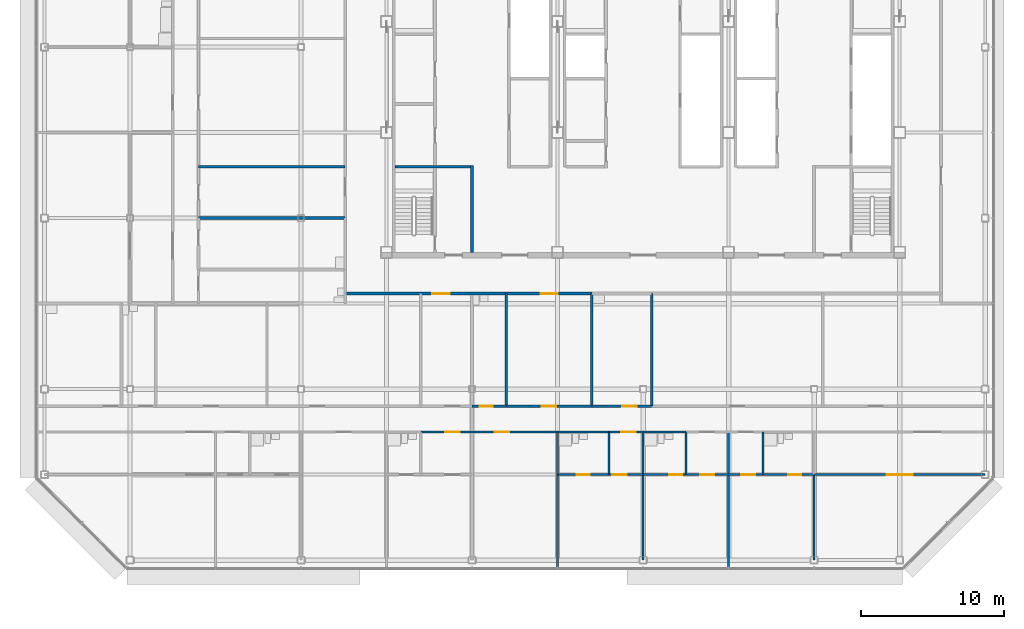
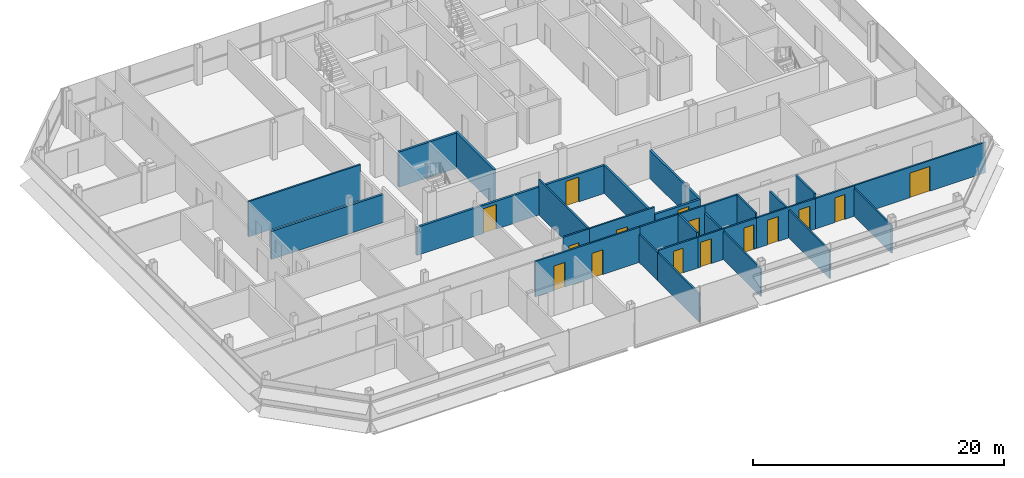
# One storey, part 22 of 28: 30 walls, 15 doors, 15 openings.
"""IFC4 building model written with IfcOpenShell, lengths in metres."""

import ifcopenshell
import ifcopenshell.guid

model = None  # the IFC model being written
_history = None  # IfcOwnerHistory: only IFC2X3 demands one
_inside = {}  # id of a spatial element -> (the spatial element, [elements in it])
_under = {}  # id of a project, library or spatial element -> (it, [spatial elements below it])
_declared = {}  # id of a project -> (the project, [libraries it declares])
_typed = {}  # id of a type object -> (the type object, [elements of that type])
_made_of = {}  # id of a material, layer set ... -> (it, [elements and type objects made of it])


def new_model(schema):
    """Start an empty IFC model of exactly this schema.

    Asked for "IFC4X3", IfcOpenShell would pick the latest addendum, in which some entities
    have other attributes; the version numbers below select the first issue.
    IFC2X3 requires an IfcOwnerHistory on every rooted entity: one is made here for all.
    """
    global model, _history
    if schema == "IFC4X3":
        model = ifcopenshell.file(schema_version=(4, 3, 0, 0))
    else:
        model = ifcopenshell.file(schema=schema)
    _inside.clear()
    _under.clear()
    _declared.clear()
    _typed.clear()
    _made_of.clear()
    _history = None
    if model.schema == "IFC2X3":
        org = make("IfcOrganization", Name="unknown")
        user = make(
            "IfcPersonAndOrganization",
            ThePerson=make("IfcPerson", FamilyName="unknown"),
            TheOrganization=org,
        )
        app = make(
            "IfcApplication",
            ApplicationDeveloper=org,
            Version="unknown",
            ApplicationFullName="unknown",
            ApplicationIdentifier="unknown",
        )
        _history = make(
            "IfcOwnerHistory",
            OwningUser=user,
            OwningApplication=app,
            ChangeAction="ADDED",
            CreationDate=0,
        )
    return model


def make(cls, **values):
    """One entity of the class cls with the attributes given. An attribute that is None is left unset."""
    return model.create_entity(
        cls, **{name: value for name, value in values.items() if value is not None}
    )


def rooted(cls, **values):
    """An entity with a GlobalId (a new one), such as an element, a storey or a relation."""
    return make(cls, GlobalId=ifcopenshell.guid.new(), OwnerHistory=_history, **values)


def si_unit(unit_type, name, prefix=None):
    """IfcSIUnit, for example si_unit("LENGTHUNIT", "METRE", prefix="MILLI")."""
    return make("IfcSIUnit", UnitType=unit_type, Prefix=prefix, Name=name)


def assignment(units):
    """IfcUnitAssignment: the units of a project."""
    return None if units is None else make("IfcUnitAssignment", Units=units)


def point(xyz):
    """IfcCartesianPoint."""
    return None if xyz is None else make("IfcCartesianPoint", Coordinates=xyz)


def direction(xyz):
    """IfcDirection."""
    return None if xyz is None else make("IfcDirection", DirectionRatios=xyz)


def frame(location, z_axis=None, x_axis=None):
    """IfcAxis2Placement3D, a coordinate frame: its origin and axes. An axis left out is left unset."""
    return make(
        "IfcAxis2Placement3D",
        Location=point(location),
        Axis=direction(z_axis),
        RefDirection=direction(x_axis),
    )


def frame_2d(location, x_axis=None):
    """IfcAxis2Placement2D, a coordinate frame in the plane: its origin and x axis."""
    return make(
        "IfcAxis2Placement2D", Location=point(location), RefDirection=direction(x_axis)
    )


def origin():
    """The frame at (0, 0, 0) with its axes left unset."""
    return frame((0.0, 0.0, 0.0))


def place(relative_to, where):
    """IfcLocalPlacement: puts the frame where relative to a parent placement (None: the world)."""
    return make(
        "IfcLocalPlacement", PlacementRelTo=relative_to, RelativePlacement=where
    )


def context(
    kind, dimensions, precision=None, world=None, true_north=None, identifier=None
):
    """IfcGeometricRepresentationContext, for example the 3D "Model" context."""
    return make(
        "IfcGeometricRepresentationContext",
        ContextIdentifier=identifier,
        ContextType=kind,
        CoordinateSpaceDimension=dimensions,
        Precision=precision,
        WorldCoordinateSystem=world,
        TrueNorth=true_north,
    )


def subcontext(parent, identifier, kind, view, scale=None):
    """IfcGeometricRepresentationSubContext, for example "Body" below "Model"."""
    return make(
        "IfcGeometricRepresentationSubContext",
        ContextIdentifier=identifier,
        ContextType=kind,
        ParentContext=parent,
        TargetScale=scale,
        TargetView=view,
    )


def project(units=None, contexts=None):
    """IfcProject with its units and contexts."""
    return rooted(
        "IfcProject",
        Name="project",
        RepresentationContexts=contexts,
        UnitsInContext=assignment(units),
    )


def spatial(cls, under=None, at=None, **own):
    """A site, building, storey or space (cls), placed at a placement, below another one or the project."""
    s = rooted(cls, ObjectPlacement=at, **own)
    if under is not None:
        _under.setdefault(under.id(), (under, []))[1].append(s)
    return s


def profile(cls, at=None, kind="AREA", **sizes):
    """A parametric profile (cls). Its sizes go by their IFC names, for example OverallWidth=200.0."""
    return make(cls, ProfileType=kind, Position=at, **sizes)


def rectangle(**sizes):
    """IfcRectangleProfileDef."""
    return profile("IfcRectangleProfileDef", **sizes)


def extrude(swept, where, along, depth):
    """IfcExtrudedAreaSolid: the profile swept, set in the frame where, extruded along a direction by depth."""
    return make(
        "IfcExtrudedAreaSolid",
        SweptArea=swept,
        Position=where,
        ExtrudedDirection=direction(along),
        Depth=depth,
    )


def shape(context_of_items, identifier, shape_type, items):
    """IfcShapeRepresentation: the items that make up one representation, for example the "Body"."""
    return make(
        "IfcShapeRepresentation",
        ContextOfItems=context_of_items,
        RepresentationIdentifier=identifier,
        RepresentationType=shape_type,
        Items=items,
    )


def material(Name=None, Category=None):
    """IfcMaterial."""
    return make("IfcMaterial", Name=Name, Category=Category)


def layer(
    of_material, thickness, ventilated=None, Name=None, Category=None, Priority=None
):
    """IfcMaterialLayer: one layer of a wall or slab, of a material (None: an air gap)."""
    return make(
        "IfcMaterialLayer",
        Material=of_material,
        LayerThickness=thickness,
        IsVentilated=ventilated,
        Name=Name,
        Category=Category,
        Priority=Priority,
    )


def layer_set(layers, Name=None):
    """IfcMaterialLayerSet."""
    return make("IfcMaterialLayerSet", MaterialLayers=layers, LayerSetName=Name)


def made_of(thing, what):
    """Note that an element or type object is made of a material, layer set ...; save() writes the relation."""
    if what is not None:
        _made_of.setdefault(what.id(), (what, []))[1].append(thing)
    return thing


def type_object(cls, material=None, **own):
    """A type object (cls), such as IfcWallType, which elements share."""
    return made_of(rooted(cls, **own), material)


def element(
    cls,
    number,
    at=None,
    inside=None,
    cuts=None,
    type_object=None,
    material=None,
    context=None,
    identifier="Body",
    shape_type=None,
    held_by="IfcProductDefinitionShape",
    body=None,
    shapes=None,
    **own,
):
    """One element of the class cls, such as IfcWall. Its Tag is "e" and its number.

    at: its placement. inside: the storey or other place that contains it. cuts: it is an
    opening in that element (IfcRelVoidsElement). A single representation is given by context,
    identifier, shape_type and body (its items); several are given by shapes. held_by: the class
    of the entity that holds the representations. save() writes the other relations.
    """
    e = rooted(cls, Tag="e%d" % number, ObjectPlacement=at, **own)
    if body is not None:
        shapes = [shape(context, identifier, shape_type, body)]
    if shapes is not None:
        e.Representation = make(held_by, Representations=shapes)
    if inside is not None:
        _inside.setdefault(inside.id(), (inside, []))[1].append(e)
    if cuts is not None:
        rooted(
            "IfcRelVoidsElement", RelatingBuildingElement=cuts, RelatedOpeningElement=e
        )
    if type_object is not None:
        _typed.setdefault(type_object.id(), (type_object, []))[1].append(e)
    return made_of(e, material)


def fill(opening, filler):
    """IfcRelFillsElement: the door or window that sits in an opening."""
    return rooted(
        "IfcRelFillsElement",
        RelatingOpeningElement=opening,
        RelatedBuildingElement=filler,
    )


def aggregate(whole, parts):
    """IfcRelAggregates: a whole, such as a stair, and the parts it consists of."""
    return rooted("IfcRelAggregates", RelatingObject=whole, RelatedObjects=parts)


def save(model, path):
    """Write the relations noted so far, then the file.

    IfcRelAggregates (storeys below a building ...), IfcRelContainedInSpatialStructure (elements
    in a storey), IfcRelDefinesByType, IfcRelAssociatesMaterial and IfcRelDeclares: one each for
    every whole, place, type object, material and project.
    """
    for whole, parts in _under.values():
        aggregate(whole, parts)
    for where, things in _inside.values():
        rooted(
            "IfcRelContainedInSpatialStructure",
            RelatedElements=things,
            RelatingStructure=where,
        )
    for kind, things in _typed.values():
        rooted("IfcRelDefinesByType", RelatedObjects=things, RelatingType=kind)
    for what, things in _made_of.values():
        rooted("IfcRelAssociatesMaterial", RelatedObjects=things, RelatingMaterial=what)
    for by, libraries in _declared.values():
        rooted("IfcRelDeclares", RelatingContext=by, RelatedDefinitions=libraries)
    model.write(path)


model = new_model("IFC4")

# Units and contexts
model_context = context("Model", 3, precision=1e-05, world=origin(), true_north=direction((0.0, 1.0)))
body_context = subcontext(model_context, "Body", "Model", "MODEL_VIEW")
ifc_project = project(units=[si_unit("LENGTHUNIT", "METRE"), si_unit("AREAUNIT", "SQUARE_METRE"), si_unit("VOLUMEUNIT", "CUBIC_METRE"), si_unit("PLANEANGLEUNIT", "RADIAN"), si_unit("MASSUNIT", "GRAM", prefix="KILO")], contexts=[model_context])

# Site, building, storey
site_placement = place(None, origin())
site = spatial("IfcSite", under=ifc_project, at=site_placement, CompositionType="ELEMENT")
building_placement = place(site_placement, origin())
building = spatial("IfcBuilding", under=site, at=building_placement, Name="Sorahane Residences", CompositionType="ELEMENT")
storey_placement = place(building_placement, frame((0.0, 0.0, 301.60009765625)))
storey = spatial("IfcBuildingStorey", under=building, at=storey_placement, Name="L71", CompositionType="ELEMENT", Elevation=301.60009765625)

# Wall, openings, doors
ifc_material_1 = material(Name="Concrete blockwork C20 wall", Category="masonry")
ifc_layer_1 = layer(ifc_material_1, 0.199951171875)
ifc_layer_set_1 = layer_set([ifc_layer_1], Name="Corridor wall 200 EI 120")
wall_type_1 = type_object("IfcWallType", Name="Corridor wall 200 EI 120", PredefinedType="SOLIDWALL", material=ifc_layer_set_1)
wall_1_placement = place(storey_placement, frame((3.10009765625, 18.699951171875, 0.0), z_axis=(0.0, 0.0, 1.0), x_axis=(1.0, 0.0, 0.0)))
wall_1 = element("IfcWall", 1, at=wall_1_placement, inside=storey, type_object=wall_type_1, Name="L71 corridor wall", PredefinedType="SOLIDWALL", context=body_context, shape_type="SweptSolid", body=[
    extrude(rectangle(XDim=17.2998046875, YDim=0.199951171875, at=frame_2d((8.64990234375, 0.0))), origin(), (0.0, 0.0, 1.0), 2.719970703125),
])
opening_1_placement = place(wall_1_placement, frame((6.1201171875, 0.0, 0.0)))
opening_1 = element("IfcOpeningElement", 2, at=opening_1_placement, cuts=wall_1, Name="Opening L71-44", PredefinedType="OPENING", context=body_context, shape_type="SweptSolid", body=[
    extrude(rectangle(XDim=1.199951171875, YDim=2.39990234375, at=frame_2d((0.60009765625, 1.199951171875))), frame((0.0, 0.10986328125, 0.0), z_axis=(0.0, -1.0, 0.0), x_axis=(1.0, 0.0, 0.0)), (0.0, 0.0, 1.0), 0.219970703125),
])
opening_2_placement = place(wall_1_placement, frame((13.699951171875, 0.0, 0.0)))
opening_2 = element("IfcOpeningElement", 3, at=opening_2_placement, cuts=wall_1, Name="Opening L71-45", PredefinedType="OPENING", context=body_context, shape_type="SweptSolid", body=[
    extrude(rectangle(XDim=1.199951171875, YDim=2.39990234375, at=frame_2d((0.60009765625, 1.199951171875))), frame((0.0, 0.10986328125, 0.0), z_axis=(0.0, -1.0, 0.0), x_axis=(1.0, 0.0, 0.0)), (0.0, 0.0, 1.0), 0.219970703125),
])
ifc_material_2 = material(Name="Timber veneered fire door", Category="wood")
door_type_1 = type_object("IfcDoorType", Name="Flat entrance door 1200x2400 FD60", OperationType="NOTDEFINED", PredefinedType="DOOR", material=ifc_material_2)
door_1_placement = place(opening_1_placement, frame((1.199951171875, 0.0, 0.0), z_axis=(0.0, 0.0, 1.0), x_axis=(-1.0, 0.0, 0.0)))
door_1 = element("IfcDoor", 4, at=door_1_placement, inside=storey, type_object=door_type_1, Name="Flat entrance door L71-44", OperationType="SINGLE_SWING_LEFT", OverallHeight=2.39990234375, OverallWidth=1.199951171875, PredefinedType="DOOR", context=body_context, shape_type="SweptSolid", body=[
    extrude(rectangle(XDim=1.199951171875, YDim=2.39990234375, at=frame_2d((0.60009765625, 1.199951171875))), frame((0.0, 0.02490234375, 0.0), z_axis=(0.0, -1.0, 0.0), x_axis=(1.0, 0.0, 0.0)), (0.0, 0.0, 1.0), 0.050048828125),
])
fill(opening_1, door_1)
door_2_placement = place(opening_2_placement, frame((1.199951171875, 0.0, 0.0), z_axis=(0.0, 0.0, 1.0), x_axis=(-1.0, 0.0, 0.0)))
door_2 = element("IfcDoor", 5, at=door_2_placement, inside=storey, type_object=door_type_1, Name="Flat entrance door L71-45", OperationType="SINGLE_SWING_LEFT", OverallHeight=2.39990234375, OverallWidth=1.199951171875, PredefinedType="DOOR", context=body_context, shape_type="SweptSolid", body=[
    extrude(rectangle(XDim=1.199951171875, YDim=2.39990234375, at=frame_2d((0.60009765625, 1.199951171875))), frame((0.0, 0.02490234375, 0.0), z_axis=(0.0, -1.0, 0.0), x_axis=(1.0, 0.0, 0.0)), (0.0, 0.0, 1.0), 0.050048828125),
])
fill(opening_2, door_2)

# Walls
ifc_material_3 = material(Name="Concrete C30", Category="concrete")
ifc_layer_2 = layer(ifc_material_3, 0.199951171875)
ifc_layer_set_2 = layer_set([ifc_layer_2], Name="Front room wall 200 EI 120")
wall_type_2 = type_object("IfcWallType", Name="Front room wall 200 EI 120", PredefinedType="PARTITIONING", material=ifc_layer_set_2)
wall_2_placement = place(storey_placement, frame((12.0, 21.60009765625, 0.0), z_axis=(0.0, 0.0, 1.0), x_axis=(0.0, 1.0, 0.0)))
element("IfcWall", 6, at=wall_2_placement, inside=storey, type_object=wall_type_2, Name="L71 front room wall", PredefinedType="PARTITIONING", context=body_context, shape_type="SweptSolid", body=[
    extrude(rectangle(XDim=6.099853515625, YDim=0.199951171875, at=frame_2d((3.0498046875, 0.0))), origin(), (0.0, 0.0, 1.0), 3.419921875),
])
ifc_material_4 = material(Name="Concrete blockwork C20 wall", Category="masonry")
ifc_layer_3 = layer(ifc_material_4, 0.199951171875)
ifc_layer_set_3 = layer_set([ifc_layer_3], Name="Kitchen wall 200 EI 180")
wall_type_3 = type_object("IfcWallType", Name="Kitchen wall 200 EI 180", PredefinedType="SOLIDWALL", material=ifc_layer_set_3)
for number, where, z_axis, x_axis, name in (
    (7, (20.39990234375, 10.800048828125, 0.0), (0.0, 0.0, 1.0), (0.0, 1.0, 0.0), "L71 kitchen wall"),
    (8, (24.60009765625, 10.800048828125, 0.0), (0.0, 0.0, 1.0), (0.0, 1.0, 0.0), "L71 kitchen wall"),
):
    element("IfcWall", number, at=place(storey_placement, frame(where, z_axis=z_axis, x_axis=x_axis)), inside=storey, type_object=wall_type_3, Name=name, PredefinedType="SOLIDWALL", context=body_context, shape_type="SweptSolid", body=[
        extrude(rectangle(XDim=7.89990234375, YDim=0.199951171875, at=frame_2d((3.949951171875, 0.0))), origin(), (0.0, 0.0, 1.0), 2.719970703125),
    ])

# Wall, opening, door
wall_3_placement = place(storey_placement, frame((20.39990234375, 10.800048828125, 0.0), z_axis=(0.0, 0.0, 1.0), x_axis=(1.0, 0.0, 0.0)))
wall_3 = element("IfcWall", 9, at=wall_3_placement, inside=storey, type_object=wall_type_3, Name="L71 kitchen wall", PredefinedType="SOLIDWALL", context=body_context, shape_type="SweptSolid", body=[
    extrude(rectangle(XDim=4.2001953125, YDim=0.199951171875, at=frame_2d((2.10009765625, 0.0))), origin(), (0.0, 0.0, 1.0), 2.719970703125),
])
opening_3_placement = place(wall_3_placement, frame((2.139892578125, 0.0, 0.0)))
opening_3 = element("IfcOpeningElement", 10, at=opening_3_placement, cuts=wall_3, Name="Opening L71-17", PredefinedType="OPENING", context=body_context, shape_type="SweptSolid", body=[
    extrude(rectangle(XDim=1.0, YDim=2.39990234375, at=frame_2d((0.5, 1.199951171875))), frame((0.0, 0.10986328125, 0.0), z_axis=(0.0, -1.0, 0.0), x_axis=(1.0, 0.0, 0.0)), (0.0, 0.0, 1.0), 0.219970703125),
])
ifc_material_5 = material(Name="Steel", Category="steel")
door_type_2 = type_object("IfcDoorType", Name="Kitchen door 1000x2400 FD120", OperationType="NOTDEFINED", PredefinedType="DOOR", material=ifc_material_5)
door_3_placement = place(opening_3_placement, origin())
door_3 = element("IfcDoor", 11, at=door_3_placement, inside=storey, type_object=door_type_2, Name="Kitchen door L71-17", OperationType="SINGLE_SWING_RIGHT", OverallHeight=2.39990234375, OverallWidth=1.0, PredefinedType="DOOR", context=body_context, shape_type="SweptSolid", body=[
    extrude(rectangle(XDim=1.0, YDim=2.39990234375, at=frame_2d((0.5, 1.199951171875))), frame((0.0, 0.02490234375, 0.0), z_axis=(0.0, -1.0, 0.0), x_axis=(1.0, 0.0, 0.0)), (0.0, 0.0, 1.0), 0.050048828125),
])
fill(opening_3, door_3)

# Walls
wall_4_placement = place(storey_placement, frame((-7.199951171875, 24.0, 0.0), z_axis=(0.0, 0.0, 1.0), x_axis=(1.0, 0.0, 0.0)))
element("IfcWall", 12, at=wall_4_placement, inside=storey, type_object=wall_type_3, Name="L71 kitchen wall", PredefinedType="SOLIDWALL", context=body_context, shape_type="SweptSolid", body=[
    extrude(rectangle(XDim=10.300048828125, YDim=0.199951171875, at=frame_2d((5.14990234375, 0.0))), origin(), (0.0, 0.0, 1.0), 2.719970703125),
])
ifc_material_6 = material(Name="Gypsum board partition on steel studs", Category="steel")
ifc_layer_4 = layer(ifc_material_6, 0.14990234375)
ifc_layer_set_4 = layer_set([ifc_layer_4], Name="Partition 150 EI 90")
wall_type_4 = type_object("IfcWallType", Name="Partition 150 EI 90", PredefinedType="PARTITIONING", material=ifc_layer_set_4)
wall_5_placement = place(storey_placement, frame((18.0, -0.60009765625, 0.0), z_axis=(0.0, 0.0, 1.0), x_axis=(0.0, 1.0, 0.0)))
element("IfcWall", 13, at=wall_5_placement, inside=storey, type_object=wall_type_4, Name="L71 partition", PredefinedType="PARTITIONING", context=body_context, shape_type="SweptSolid", body=[
    extrude(rectangle(XDim=6.60009765625, YDim=0.14990234375, at=frame_2d((3.300048828125, 0.0))), origin(), (0.0, 0.0, 1.0), 2.719970703125),
])
wall_6_placement = place(storey_placement, frame((24.0, 0.0, 0.0), z_axis=(0.0, 0.0, 1.0), x_axis=(0.0, 1.0, 0.0)))
element("IfcWall", 14, at=wall_6_placement, inside=storey, type_object=wall_type_4, Name="L71 partition", PredefinedType="PARTITIONING", context=body_context, shape_type="SweptSolid", body=[
    extrude(rectangle(XDim=6.0, YDim=0.14990234375, at=frame_2d((3.0, 0.0))), origin(), (0.0, 0.0, 1.0), 2.719970703125),
])
wall_7_placement = place(storey_placement, frame((30.0, -0.60009765625, 0.0), z_axis=(0.0, 0.0, 1.0), x_axis=(0.0, 1.0, 0.0)))
element("IfcWall", 15, at=wall_7_placement, inside=storey, type_object=wall_type_4, Name="L71 partition", PredefinedType="PARTITIONING", context=body_context, shape_type="SweptSolid", body=[
    extrude(rectangle(XDim=9.60009765625, YDim=0.14990234375, at=frame_2d((4.800048828125, 0.0))), origin(), (0.0, 0.0, 1.0), 2.719970703125),
])
wall_8_placement = place(storey_placement, frame((36.0, 0.0, 0.0), z_axis=(0.0, 0.0, 1.0), x_axis=(0.0, 1.0, 0.0)))
element("IfcWall", 16, at=wall_8_placement, inside=storey, type_object=wall_type_4, Name="L71 partition", PredefinedType="PARTITIONING", context=body_context, shape_type="SweptSolid", body=[
    extrude(rectangle(XDim=6.0, YDim=0.14990234375, at=frame_2d((3.0, 0.0))), origin(), (0.0, 0.0, 1.0), 2.719970703125),
])

# Wall, opening, door
wall_9_placement = place(storey_placement, frame((14.39990234375, 10.800048828125, 0.0), z_axis=(0.0, 0.0, 1.0), x_axis=(1.0, 0.0, 0.0)))
wall_9 = element("IfcWall", 17, at=wall_9_placement, inside=storey, type_object=wall_type_4, Name="L71 partition", PredefinedType="PARTITIONING", context=body_context, shape_type="SweptSolid", body=[
    extrude(rectangle(XDim=6.0, YDim=0.14990234375, at=frame_2d((3.0, 0.0))), origin(), (0.0, 0.0, 1.0), 3.419921875),
])
opening_4_placement = place(wall_9_placement, frame((2.5, 0.0, 0.0)))
opening_4 = element("IfcOpeningElement", 18, at=opening_4_placement, cuts=wall_9, Name="Opening L71-15", PredefinedType="OPENING", context=body_context, shape_type="SweptSolid", body=[
    extrude(rectangle(XDim=1.0, YDim=2.39990234375, at=frame_2d((0.5, 1.199951171875))), frame((0.0, 0.0849609375, 0.0), z_axis=(0.0, -1.0, 0.0), x_axis=(1.0, 0.0, 0.0)), (0.0, 0.0, 1.0), 0.169921875),
])
ifc_material_7 = material(Name="Timber veneered fire door", Category="wood")
door_type_3 = type_object("IfcDoorType", Name="Room door 1000x2400 FD30", OperationType="NOTDEFINED", PredefinedType="DOOR", material=ifc_material_7)
door_4_placement = place(opening_4_placement, frame((1.0, 0.0, 0.0), z_axis=(0.0, 0.0, 1.0), x_axis=(-1.0, 0.0, 0.0)))
door_4 = element("IfcDoor", 19, at=door_4_placement, inside=storey, type_object=door_type_3, Name="Room door L71-15", OperationType="SINGLE_SWING_RIGHT", OverallHeight=2.39990234375, OverallWidth=1.0, PredefinedType="DOOR", context=body_context, shape_type="SweptSolid", body=[
    extrude(rectangle(XDim=1.0, YDim=2.39990234375, at=frame_2d((0.5, 1.199951171875))), frame((0.0, 0.02490234375, 0.0), z_axis=(0.0, -1.0, 0.0), x_axis=(1.0, 0.0, 0.0)), (0.0, 0.0, 1.0), 0.050048828125),
])
fill(opening_4, door_4)

# Wall
wall_10_placement = place(storey_placement, frame((-7.199951171875, 27.60009765625, 0.0), z_axis=(0.0, 0.0, 1.0), x_axis=(1.0, 0.0, 0.0)))
element("IfcWall", 20, at=wall_10_placement, inside=storey, type_object=wall_type_4, Name="L71 partition", PredefinedType="PARTITIONING", context=body_context, shape_type="SweptSolid", body=[
    extrude(rectangle(XDim=10.300048828125, YDim=0.14990234375, at=frame_2d((5.14990234375, 0.0))), origin(), (0.0, 0.0, 1.0), 3.419921875),
])

# Wall, opening, door
wall_11_placement = place(storey_placement, frame((21.60009765625, 6.0, 0.0), z_axis=(0.0, 0.0, 1.0), x_axis=(1.0, 0.0, 0.0)))
wall_11 = element("IfcWall", 21, at=wall_11_placement, inside=storey, type_object=wall_type_4, Name="L71 partition", PredefinedType="PARTITIONING", context=body_context, shape_type="SweptSolid", body=[
    extrude(rectangle(XDim=2.39990234375, YDim=0.14990234375, at=frame_2d((1.199951171875, 0.0))), origin(), (0.0, 0.0, 1.0), 2.969970703125),
])
opening_5_placement = place(wall_11_placement, frame((0.25, 0.0, 0.0)))
opening_5 = element("IfcOpeningElement", 22, at=opening_5_placement, cuts=wall_11, Name="Opening L71-25", PredefinedType="OPENING", context=body_context, shape_type="SweptSolid", body=[
    extrude(rectangle(XDim=1.0, YDim=2.39990234375, at=frame_2d((0.5, 1.199951171875))), frame((0.0, 0.0849609375, 0.0), z_axis=(0.0, -1.0, 0.0), x_axis=(1.0, 0.0, 0.0)), (0.0, 0.0, 1.0), 0.169921875),
])
door_5_placement = place(opening_5_placement, frame((1.0, 0.0, 0.0), z_axis=(0.0, 0.0, 1.0), x_axis=(-1.0, 0.0, 0.0)))
door_5 = element("IfcDoor", 23, at=door_5_placement, inside=storey, type_object=door_type_3, Name="Room door L71-25", OperationType="SINGLE_SWING_RIGHT", OverallHeight=2.39990234375, OverallWidth=1.0, PredefinedType="DOOR", context=body_context, shape_type="SweptSolid", body=[
    extrude(rectangle(XDim=1.0, YDim=2.39990234375, at=frame_2d((0.5, 1.199951171875))), frame((0.0, 0.02490234375, 0.0), z_axis=(0.0, -1.0, 0.0), x_axis=(1.0, 0.0, 0.0)), (0.0, 0.0, 1.0), 0.050048828125),
])
fill(opening_5, door_5)

# Wall, openings, doors
wall_12_placement = place(storey_placement, frame((27.0, 6.0, 0.0), z_axis=(0.0, 0.0, 1.0), x_axis=(1.0, 0.0, 0.0)))
wall_12 = element("IfcWall", 24, at=wall_12_placement, inside=storey, type_object=wall_type_4, Name="L71 partition", PredefinedType="PARTITIONING", context=body_context, shape_type="SweptSolid", body=[
    extrude(rectangle(XDim=5.39990234375, YDim=0.14990234375, at=frame_2d((2.699951171875, 0.0))), origin(), (0.0, 0.0, 1.0), 2.969970703125),
])
opening_6_placement = place(wall_12_placement, frame((1.0, 0.0, 0.0)))
opening_6 = element("IfcOpeningElement", 25, at=opening_6_placement, cuts=wall_12, Name="Opening L71-27", PredefinedType="OPENING", context=body_context, shape_type="SweptSolid", body=[
    extrude(rectangle(XDim=1.0, YDim=2.39990234375, at=frame_2d((0.5, 1.199951171875))), frame((0.0, 0.0849609375, 0.0), z_axis=(0.0, -1.0, 0.0), x_axis=(1.0, 0.0, 0.0)), (0.0, 0.0, 1.0), 0.169921875),
])
opening_7_placement = place(wall_12_placement, frame((3.8798828125, 0.0, 0.0)))
opening_7 = element("IfcOpeningElement", 26, at=opening_7_placement, cuts=wall_12, Name="Opening L71-29", PredefinedType="OPENING", context=body_context, shape_type="SweptSolid", body=[
    extrude(rectangle(XDim=1.0, YDim=2.39990234375, at=frame_2d((0.5, 1.199951171875))), frame((0.0, 0.0849609375, 0.0), z_axis=(0.0, -1.0, 0.0), x_axis=(1.0, 0.0, 0.0)), (0.0, 0.0, 1.0), 0.169921875),
])
door_6_placement = place(opening_6_placement, frame((1.0, 0.0, 0.0), z_axis=(0.0, 0.0, 1.0), x_axis=(-1.0, 0.0, 0.0)))
door_6 = element("IfcDoor", 27, at=door_6_placement, inside=storey, type_object=door_type_3, Name="Room door L71-27", OperationType="SINGLE_SWING_LEFT", OverallHeight=2.39990234375, OverallWidth=1.0, PredefinedType="DOOR", context=body_context, shape_type="SweptSolid", body=[
    extrude(rectangle(XDim=1.0, YDim=2.39990234375, at=frame_2d((0.5, 1.199951171875))), frame((0.0, 0.02490234375, 0.0), z_axis=(0.0, -1.0, 0.0), x_axis=(1.0, 0.0, 0.0)), (0.0, 0.0, 1.0), 0.050048828125),
])
fill(opening_6, door_6)
door_7_placement = place(opening_7_placement, frame((1.0, 0.0, 0.0), z_axis=(0.0, 0.0, 1.0), x_axis=(-1.0, 0.0, 0.0)))
door_7 = element("IfcDoor", 28, at=door_7_placement, inside=storey, type_object=door_type_3, Name="Room door L71-29", OperationType="SINGLE_SWING_LEFT", OverallHeight=2.39990234375, OverallWidth=1.0, PredefinedType="DOOR", context=body_context, shape_type="SweptSolid", body=[
    extrude(rectangle(XDim=1.0, YDim=2.39990234375, at=frame_2d((0.5, 1.199951171875))), frame((0.0, 0.02490234375, 0.0), z_axis=(0.0, -1.0, 0.0), x_axis=(1.0, 0.0, 0.0)), (0.0, 0.0, 1.0), 0.050048828125),
])
fill(opening_7, door_7)

# Wall, opening, door
wall_13_placement = place(storey_placement, frame((36.0, 6.0, 0.0), z_axis=(0.0, 0.0, 1.0), x_axis=(1.0, 0.0, 0.0)))
wall_13 = element("IfcWall", 29, at=wall_13_placement, inside=storey, type_object=wall_type_4, Name="L71 partition", PredefinedType="PARTITIONING", context=body_context, shape_type="SweptSolid", body=[
    extrude(rectangle(XDim=12.0, YDim=0.14990234375, at=frame_2d((6.0, 0.0))), origin(), (0.0, 0.0, 1.0), 2.969970703125),
])
opening_8_placement = place(wall_13_placement, frame((5.10009765625, 0.0, 0.0)))
opening_8 = element("IfcOpeningElement", 30, at=opening_8_placement, cuts=wall_13, Name="Opening L71-31", PredefinedType="OPENING", context=body_context, shape_type="SweptSolid", body=[
    extrude(rectangle(XDim=1.800048828125, YDim=2.39990234375, at=frame_2d((0.89990234375, 1.199951171875))), frame((0.0, 0.0849609375, 0.0), z_axis=(0.0, -1.0, 0.0), x_axis=(1.0, 0.0, 0.0)), (0.0, 0.0, 1.0), 0.169921875),
])
ifc_material_8 = material(Name="Timber veneered fire door", Category="wood")
door_type_4 = type_object("IfcDoorType", Name="Double door 1800x2400 FD30", OperationType="NOTDEFINED", PredefinedType="DOOR", material=ifc_material_8)
door_8_placement = place(opening_8_placement, frame((1.800048828125, 0.0, 0.0), z_axis=(0.0, 0.0, 1.0), x_axis=(-1.0, 0.0, 0.0)))
door_8 = element("IfcDoor", 31, at=door_8_placement, inside=storey, type_object=door_type_4, Name="Double door L71-31", OperationType="SINGLE_SWING_LEFT", OverallHeight=2.39990234375, OverallWidth=1.800048828125, PredefinedType="DOOR", context=body_context, shape_type="SweptSolid", body=[
    extrude(rectangle(XDim=1.800048828125, YDim=2.39990234375, at=frame_2d((0.89990234375, 1.199951171875))), frame((0.0, 0.02490234375, 0.0), z_axis=(0.0, -1.0, 0.0), x_axis=(1.0, 0.0, 0.0)), (0.0, 0.0, 1.0), 0.050048828125),
])
fill(opening_8, door_8)

# Wall, openings, doors
wall_14_placement = place(storey_placement, frame((8.39990234375, 9.0, 0.0), z_axis=(0.0, 0.0, 1.0), x_axis=(1.0, 0.0, 0.0)))
wall_14 = element("IfcWall", 32, at=wall_14_placement, inside=storey, type_object=wall_type_4, Name="L71 partition", PredefinedType="PARTITIONING", context=body_context, shape_type="SweptSolid", body=[
    extrude(rectangle(XDim=9.60009765625, YDim=0.14990234375, at=frame_2d((4.800048828125, 0.0))), origin(), (0.0, 0.0, 1.0), 3.419921875),
])
opening_9_placement = place(wall_14_placement, frame((1.719970703125, 0.0, 0.0)))
opening_9 = element("IfcOpeningElement", 33, at=opening_9_placement, cuts=wall_14, Name="Opening L71-09", PredefinedType="OPENING", context=body_context, shape_type="SweptSolid", body=[
    extrude(rectangle(XDim=1.0, YDim=2.39990234375, at=frame_2d((0.5, 1.199951171875))), frame((0.0, 0.0849609375, 0.0), z_axis=(0.0, -1.0, 0.0), x_axis=(1.0, 0.0, 0.0)), (0.0, 0.0, 1.0), 0.169921875),
])
opening_10_placement = place(wall_14_placement, frame((5.199951171875, 0.0, 0.0)))
opening_10 = element("IfcOpeningElement", 34, at=opening_10_placement, cuts=wall_14, Name="Opening L71-20", PredefinedType="OPENING", context=body_context, shape_type="SweptSolid", body=[
    extrude(rectangle(XDim=1.0, YDim=2.39990234375, at=frame_2d((0.5, 1.199951171875))), frame((0.0, 0.0849609375, 0.0), z_axis=(0.0, -1.0, 0.0), x_axis=(1.0, 0.0, 0.0)), (0.0, 0.0, 1.0), 0.169921875),
])
door_9_placement = place(opening_9_placement, frame((1.0, 0.0, 0.0), z_axis=(0.0, 0.0, 1.0), x_axis=(-1.0, 0.0, 0.0)))
door_9 = element("IfcDoor", 35, at=door_9_placement, inside=storey, type_object=door_type_3, Name="Room door L71-09", OperationType="SINGLE_SWING_RIGHT", OverallHeight=2.39990234375, OverallWidth=1.0, PredefinedType="DOOR", context=body_context, shape_type="SweptSolid", body=[
    extrude(rectangle(XDim=1.0, YDim=2.39990234375, at=frame_2d((0.5, 1.199951171875))), frame((0.0, 0.02490234375, 0.0), z_axis=(0.0, -1.0, 0.0), x_axis=(1.0, 0.0, 0.0)), (0.0, 0.0, 1.0), 0.050048828125),
])
fill(opening_9, door_9)
door_10_placement = place(opening_10_placement, frame((1.0, 0.0, 0.0), z_axis=(0.0, 0.0, 1.0), x_axis=(-1.0, 0.0, 0.0)))
door_10 = element("IfcDoor", 36, at=door_10_placement, inside=storey, type_object=door_type_3, Name="Room door L71-20", OperationType="SINGLE_SWING_LEFT", OverallHeight=2.39990234375, OverallWidth=1.0, PredefinedType="DOOR", context=body_context, shape_type="SweptSolid", body=[
    extrude(rectangle(XDim=1.0, YDim=2.39990234375, at=frame_2d((0.5, 1.199951171875))), frame((0.0, 0.02490234375, 0.0), z_axis=(0.0, -1.0, 0.0), x_axis=(1.0, 0.0, 0.0)), (0.0, 0.0, 1.0), 0.050048828125),
])
fill(opening_10, door_10)

# Wall, opening, door
wall_15_placement = place(storey_placement, frame((21.60009765625, 9.0, 0.0), z_axis=(0.0, 0.0, 1.0), x_axis=(1.0, 0.0, 0.0)))
wall_15 = element("IfcWall", 37, at=wall_15_placement, inside=storey, type_object=wall_type_4, Name="L71 partition", PredefinedType="PARTITIONING", context=body_context, shape_type="SweptSolid", body=[
    extrude(rectangle(XDim=2.39990234375, YDim=0.14990234375, at=frame_2d((1.199951171875, 0.0))), origin(), (0.0, 0.0, 1.0), 3.419921875),
])
opening_11_placement = place(wall_15_placement, frame((0.8798828125, 0.0, 0.0)))
opening_11 = element("IfcOpeningElement", 38, at=opening_11_placement, cuts=wall_15, Name="Opening L71-21", PredefinedType="OPENING", context=body_context, shape_type="SweptSolid", body=[
    extrude(rectangle(XDim=1.0, YDim=2.39990234375, at=frame_2d((0.5, 1.199951171875))), frame((0.0, 0.0849609375, 0.0), z_axis=(0.0, -1.0, 0.0), x_axis=(1.0, 0.0, 0.0)), (0.0, 0.0, 1.0), 0.169921875),
])
door_11_placement = place(opening_11_placement, frame((1.0, 0.0, 0.0), z_axis=(0.0, 0.0, 1.0), x_axis=(-1.0, 0.0, 0.0)))
door_11 = element("IfcDoor", 39, at=door_11_placement, inside=storey, type_object=door_type_3, Name="Room door L71-21", OperationType="SINGLE_SWING_LEFT", OverallHeight=2.39990234375, OverallWidth=1.0, PredefinedType="DOOR", context=body_context, shape_type="SweptSolid", body=[
    extrude(rectangle(XDim=1.0, YDim=2.39990234375, at=frame_2d((0.5, 1.199951171875))), frame((0.0, 0.02490234375, 0.0), z_axis=(0.0, -1.0, 0.0), x_axis=(1.0, 0.0, 0.0)), (0.0, 0.0, 1.0), 0.050048828125),
])
fill(opening_11, door_11)

# Walls
ifc_material_9 = material(Name="Concrete C30", Category="concrete")
ifc_layer_5 = layer(ifc_material_9, 0.199951171875)
ifc_layer_set_5 = layer_set([ifc_layer_5], Name="Stair enclosure wall 200 EI 120")
wall_type_5 = type_object("IfcWallType", Name="Stair enclosure wall 200 EI 120", PredefinedType="SOLIDWALL", material=ifc_layer_set_5)
wall_16_placement = place(storey_placement, frame((6.60009765625, 27.60009765625, 0.0), z_axis=(0.0, 0.0, 1.0), x_axis=(1.0, 0.0, 0.0)))
element("IfcWall", 40, at=wall_16_placement, inside=storey, type_object=wall_type_5, Name="L71 stair enclosure wall", PredefinedType="SOLIDWALL", context=body_context, shape_type="SweptSolid", body=[
    extrude(rectangle(XDim=5.2998046875, YDim=0.199951171875, at=frame_2d((2.64990234375, 0.0))), origin(), (0.0, 0.0, 1.0), 3.419921875),
])
ifc_material_10 = material(Name="Gypsum board partition on steel studs", Category="steel")
ifc_layer_6 = layer(ifc_material_10, 0.14990234375)
ifc_layer_set_6 = layer_set([ifc_layer_6], Name="Wet wall 150 EI 90")
wall_type_6 = type_object("IfcWallType", Name="Wet wall 150 EI 90", PredefinedType="PARTITIONING", material=ifc_layer_set_6)
wall_17_placement = place(storey_placement, frame((14.39990234375, 10.800048828125, 0.0), z_axis=(0.0, 0.0, 1.0), x_axis=(0.0, 1.0, 0.0)))
element("IfcWall", 41, at=wall_17_placement, inside=storey, type_object=wall_type_6, Name="L71 wet wall", PredefinedType="PARTITIONING", context=body_context, shape_type="SweptSolid", body=[
    extrude(rectangle(XDim=7.89990234375, YDim=0.14990234375, at=frame_2d((3.949951171875, 0.0))), origin(), (0.0, 0.0, 1.0), 3.419921875),
])
wall_18_placement = place(storey_placement, frame((18.0, 6.0, 0.0), z_axis=(0.0, 0.0, 1.0), x_axis=(0.0, 1.0, 0.0)))
element("IfcWall", 42, at=wall_18_placement, inside=storey, type_object=wall_type_6, Name="L71 wet wall", PredefinedType="PARTITIONING", context=body_context, shape_type="SweptSolid", body=[
    extrude(rectangle(XDim=3.0, YDim=0.14990234375, at=frame_2d((1.5, 0.0))), origin(), (0.0, 0.0, 1.0), 2.719970703125),
])
wall_19_placement = place(storey_placement, frame((21.60009765625, 6.0, 0.0), z_axis=(0.0, 0.0, 1.0), x_axis=(0.0, 1.0, 0.0)))
element("IfcWall", 43, at=wall_19_placement, inside=storey, type_object=wall_type_6, Name="L71 wet wall", PredefinedType="PARTITIONING", context=body_context, shape_type="SweptSolid", body=[
    extrude(rectangle(XDim=3.0, YDim=0.14990234375, at=frame_2d((1.5, 0.0))), origin(), (0.0, 0.0, 1.0), 3.419921875),
])
wall_20_placement = place(storey_placement, frame((24.0, 6.0, 0.0), z_axis=(0.0, 0.0, 1.0), x_axis=(0.0, 1.0, 0.0)))
element("IfcWall", 44, at=wall_20_placement, inside=storey, type_object=wall_type_6, Name="L71 wet wall", PredefinedType="PARTITIONING", context=body_context, shape_type="SweptSolid", body=[
    extrude(rectangle(XDim=3.0, YDim=0.14990234375, at=frame_2d((1.5, 0.0))), origin(), (0.0, 0.0, 1.0), 2.719970703125),
])
for number, where, z_axis, x_axis, name in (
    (45, (27.0, 6.0, 0.0), (0.0, 0.0, 1.0), (0.0, 1.0, 0.0), "L71 wet wall"),
    (46, (32.39990234375, 6.0, 0.0), (0.0, 0.0, 1.0), (0.0, 1.0, 0.0), "L71 wet wall"),
):
    element("IfcWall", number, at=place(storey_placement, frame(where, z_axis=z_axis, x_axis=x_axis)), inside=storey, type_object=wall_type_6, Name=name, PredefinedType="PARTITIONING", context=body_context, shape_type="SweptSolid", body=[
        extrude(rectangle(XDim=3.0, YDim=0.14990234375, at=frame_2d((1.5, 0.0))), origin(), (0.0, 0.0, 1.0), 3.419921875),
    ])

# Wall, opening, door
wall_21_placement = place(storey_placement, frame((12.0, 10.800048828125, 0.0), z_axis=(0.0, 0.0, 1.0), x_axis=(1.0, 0.0, 0.0)))
wall_21 = element("IfcWall", 47, at=wall_21_placement, inside=storey, type_object=wall_type_6, Name="L71 wet wall", PredefinedType="PARTITIONING", context=body_context, shape_type="SweptSolid", body=[
    extrude(rectangle(XDim=2.39990234375, YDim=0.14990234375, at=frame_2d((1.199951171875, 0.0))), origin(), (0.0, 0.0, 1.0), 3.419921875),
])
opening_12_placement = place(wall_21_placement, frame((0.550048828125, 0.0, 0.0)))
opening_12 = element("IfcOpeningElement", 48, at=opening_12_placement, cuts=wall_21, Name="Opening L71-16", PredefinedType="OPENING", context=body_context, shape_type="SweptSolid", body=[
    extrude(rectangle(XDim=0.89990234375, YDim=2.39990234375, at=frame_2d((0.449951171875, 1.199951171875))), frame((0.0, 0.0849609375, 0.0), z_axis=(0.0, -1.0, 0.0), x_axis=(1.0, 0.0, 0.0)), (0.0, 0.0, 1.0), 0.169921875),
])
ifc_material_11 = material(Name="Timber veneered fire door", Category="wood")
door_type_5 = type_object("IfcDoorType", Name="Bathroom door 900x2400 FD30", OperationType="NOTDEFINED", PredefinedType="DOOR", material=ifc_material_11)
door_12_placement = place(opening_12_placement, frame((0.89990234375, 0.0, 0.0), z_axis=(0.0, 0.0, 1.0), x_axis=(-1.0, 0.0, 0.0)))
door_12 = element("IfcDoor", 49, at=door_12_placement, inside=storey, type_object=door_type_5, Name="Bathroom door L71-16", OperationType="SINGLE_SWING_LEFT", OverallHeight=2.39990234375, OverallWidth=0.89990234375, PredefinedType="DOOR", context=body_context, shape_type="SweptSolid", body=[
    extrude(rectangle(XDim=0.89990234375, YDim=2.39990234375, at=frame_2d((0.449951171875, 1.199951171875))), frame((0.0, 0.02490234375, 0.0), z_axis=(0.0, -1.0, 0.0), x_axis=(1.0, 0.0, 0.0)), (0.0, 0.0, 1.0), 0.050048828125),
])
fill(opening_12, door_12)

wall_22_placement = place(storey_placement, frame((18.0, 6.0, 0.0), z_axis=(0.0, 0.0, 1.0), x_axis=(1.0, 0.0, 0.0)))
wall_22 = element("IfcWall", 50, at=wall_22_placement, inside=storey, type_object=wall_type_6, Name="L71 wet wall", PredefinedType="PARTITIONING", context=body_context, shape_type="SweptSolid", body=[
    extrude(rectangle(XDim=3.60009765625, YDim=0.14990234375, at=frame_2d((1.800048828125, 0.0))), origin(), (0.0, 0.0, 1.0), 2.969970703125),
])
opening_13_placement = place(wall_22_placement, frame((1.35009765625, 0.0, 0.0)))
opening_13 = element("IfcOpeningElement", 51, at=opening_13_placement, cuts=wall_22, Name="Opening L71-26", PredefinedType="OPENING", context=body_context, shape_type="SweptSolid", body=[
    extrude(rectangle(XDim=0.89990234375, YDim=2.39990234375, at=frame_2d((0.449951171875, 1.199951171875))), frame((0.0, 0.0849609375, 0.0), z_axis=(0.0, -1.0, 0.0), x_axis=(1.0, 0.0, 0.0)), (0.0, 0.0, 1.0), 0.169921875),
])
door_13_placement = place(opening_13_placement, frame((0.89990234375, 0.0, 0.0), z_axis=(0.0, 0.0, 1.0), x_axis=(-1.0, 0.0, 0.0)))
door_13 = element("IfcDoor", 52, at=door_13_placement, inside=storey, type_object=door_type_5, Name="Bathroom door L71-26", OperationType="SINGLE_SWING_RIGHT", OverallHeight=2.39990234375, OverallWidth=0.89990234375, PredefinedType="DOOR", context=body_context, shape_type="SweptSolid", body=[
    extrude(rectangle(XDim=0.89990234375, YDim=2.39990234375, at=frame_2d((0.449951171875, 1.199951171875))), frame((0.0, 0.02490234375, 0.0), z_axis=(0.0, -1.0, 0.0), x_axis=(1.0, 0.0, 0.0)), (0.0, 0.0, 1.0), 0.050048828125),
])
fill(opening_13, door_13)

wall_23_placement = place(storey_placement, frame((24.0, 6.0, 0.0), z_axis=(0.0, 0.0, 1.0), x_axis=(1.0, 0.0, 0.0)))
wall_23 = element("IfcWall", 53, at=wall_23_placement, inside=storey, type_object=wall_type_6, Name="L71 wet wall", PredefinedType="PARTITIONING", context=body_context, shape_type="SweptSolid", body=[
    extrude(rectangle(XDim=3.0, YDim=0.14990234375, at=frame_2d((1.5, 0.0))), origin(), (0.0, 0.0, 1.0), 2.969970703125),
])
opening_14_placement = place(wall_23_placement, frame((1.85009765625, 0.0, 0.0)))
opening_14 = element("IfcOpeningElement", 54, at=opening_14_placement, cuts=wall_23, Name="Opening L71-28", PredefinedType="OPENING", context=body_context, shape_type="SweptSolid", body=[
    extrude(rectangle(XDim=0.89990234375, YDim=2.39990234375, at=frame_2d((0.449951171875, 1.199951171875))), frame((0.0, 0.0849609375, 0.0), z_axis=(0.0, -1.0, 0.0), x_axis=(1.0, 0.0, 0.0)), (0.0, 0.0, 1.0), 0.169921875),
])
door_14_placement = place(opening_14_placement, frame((0.89990234375, 0.0, 0.0), z_axis=(0.0, 0.0, 1.0), x_axis=(-1.0, 0.0, 0.0)))
door_14 = element("IfcDoor", 55, at=door_14_placement, inside=storey, type_object=door_type_5, Name="Bathroom door L71-28", OperationType="SINGLE_SWING_RIGHT", OverallHeight=2.39990234375, OverallWidth=0.89990234375, PredefinedType="DOOR", context=body_context, shape_type="SweptSolid", body=[
    extrude(rectangle(XDim=0.89990234375, YDim=2.39990234375, at=frame_2d((0.449951171875, 1.199951171875))), frame((0.0, 0.02490234375, 0.0), z_axis=(0.0, -1.0, 0.0), x_axis=(1.0, 0.0, 0.0)), (0.0, 0.0, 1.0), 0.050048828125),
])
fill(opening_14, door_14)

wall_24_placement = place(storey_placement, frame((32.39990234375, 6.0, 0.0), z_axis=(0.0, 0.0, 1.0), x_axis=(1.0, 0.0, 0.0)))
wall_24 = element("IfcWall", 56, at=wall_24_placement, inside=storey, type_object=wall_type_6, Name="L71 wet wall", PredefinedType="PARTITIONING", context=body_context, shape_type="SweptSolid", body=[
    extrude(rectangle(XDim=3.60009765625, YDim=0.14990234375, at=frame_2d((1.800048828125, 0.0))), origin(), (0.0, 0.0, 1.0), 2.969970703125),
])
opening_15_placement = place(wall_24_placement, frame((1.7900390625, 0.0, 0.0)))
opening_15 = element("IfcOpeningElement", 57, at=opening_15_placement, cuts=wall_24, Name="Opening L71-30", PredefinedType="OPENING", context=body_context, shape_type="SweptSolid", body=[
    extrude(rectangle(XDim=0.89990234375, YDim=2.39990234375, at=frame_2d((0.449951171875, 1.199951171875))), frame((0.0, 0.0849609375, 0.0), z_axis=(0.0, -1.0, 0.0), x_axis=(1.0, 0.0, 0.0)), (0.0, 0.0, 1.0), 0.169921875),
])
door_15_placement = place(opening_15_placement, frame((0.89990234375, 0.0, 0.0), z_axis=(0.0, 0.0, 1.0), x_axis=(-1.0, 0.0, 0.0)))
door_15 = element("IfcDoor", 58, at=door_15_placement, inside=storey, type_object=door_type_5, Name="Bathroom door L71-30", OperationType="SINGLE_SWING_RIGHT", OverallHeight=2.39990234375, OverallWidth=0.89990234375, PredefinedType="DOOR", context=body_context, shape_type="SweptSolid", body=[
    extrude(rectangle(XDim=0.89990234375, YDim=2.39990234375, at=frame_2d((0.449951171875, 1.199951171875))), frame((0.0, 0.02490234375, 0.0), z_axis=(0.0, -1.0, 0.0), x_axis=(1.0, 0.0, 0.0)), (0.0, 0.0, 1.0), 0.050048828125),
])
fill(opening_15, door_15)

# Walls
wall_25_placement = place(storey_placement, frame((18.0, 9.0, 0.0), z_axis=(0.0, 0.0, 1.0), x_axis=(1.0, 0.0, 0.0)))
element("IfcWall", 59, at=wall_25_placement, inside=storey, type_object=wall_type_6, Name="L71 wet wall", PredefinedType="PARTITIONING", context=body_context, shape_type="SweptSolid", body=[
    extrude(rectangle(XDim=3.60009765625, YDim=0.14990234375, at=frame_2d((1.800048828125, 0.0))), origin(), (0.0, 0.0, 1.0), 3.419921875),
])
wall_26_placement = place(storey_placement, frame((24.0, 9.0, 0.0), z_axis=(0.0, 0.0, 1.0), x_axis=(1.0, 0.0, 0.0)))
element("IfcWall", 60, at=wall_26_placement, inside=storey, type_object=wall_type_6, Name="L71 wet wall", PredefinedType="PARTITIONING", context=body_context, shape_type="SweptSolid", body=[
    extrude(rectangle(XDim=3.0, YDim=0.14990234375, at=frame_2d((1.5, 0.0))), origin(), (0.0, 0.0, 1.0), 3.419921875),
])

save(model, "model.ifc")
